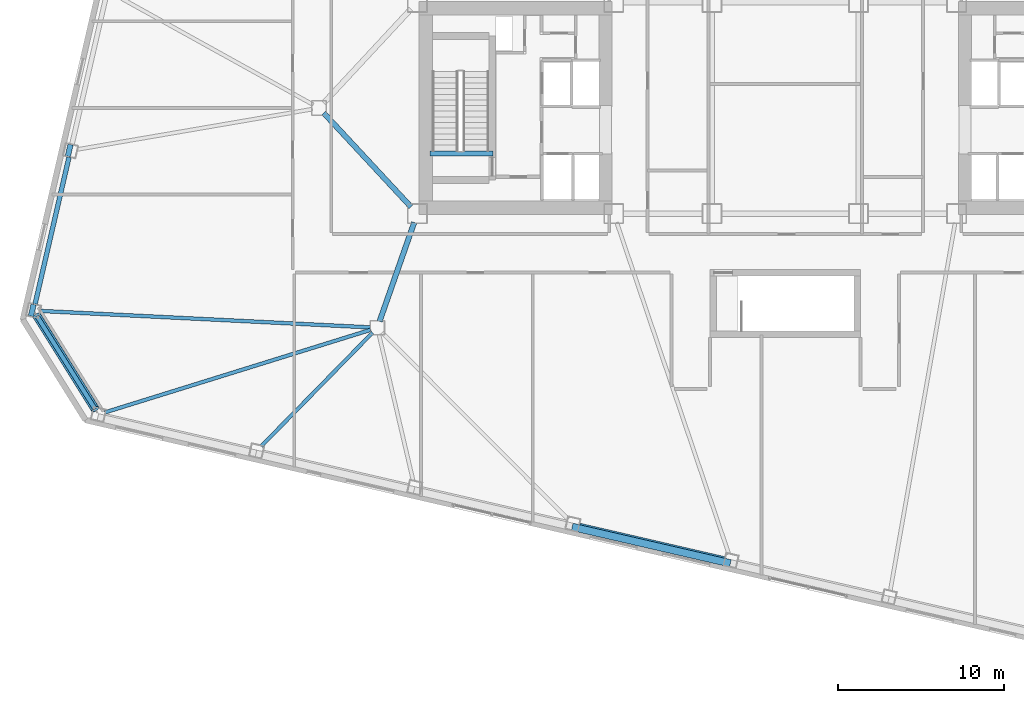
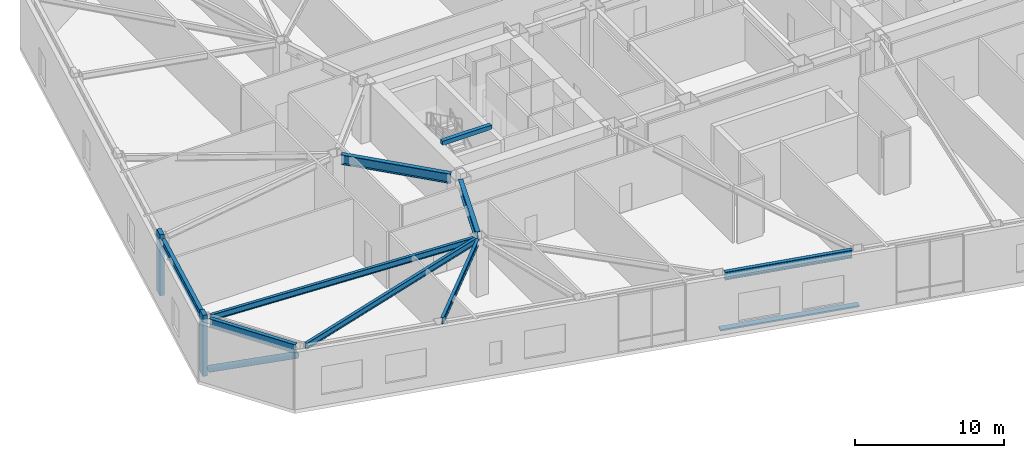
# One storey, part 3 of 19: 9 beams, 4 members.
"""IFC4 building model written with IfcOpenShell, lengths in metres."""

import ifcopenshell
import ifcopenshell.guid

model = None  # the IFC model being written
_history = None  # IfcOwnerHistory: only IFC2X3 demands one
_inside = {}  # id of a spatial element -> (the spatial element, [elements in it])
_under = {}  # id of a project, library or spatial element -> (it, [spatial elements below it])
_declared = {}  # id of a project -> (the project, [libraries it declares])
_typed = {}  # id of a type object -> (the type object, [elements of that type])
_made_of = {}  # id of a material, layer set ... -> (it, [elements and type objects made of it])


def new_model(schema):
    """Start an empty IFC model of exactly this schema.

    Asked for "IFC4X3", IfcOpenShell would pick the latest addendum, in which some entities
    have other attributes; the version numbers below select the first issue.
    IFC2X3 requires an IfcOwnerHistory on every rooted entity: one is made here for all.
    """
    global model, _history
    if schema == "IFC4X3":
        model = ifcopenshell.file(schema_version=(4, 3, 0, 0))
    else:
        model = ifcopenshell.file(schema=schema)
    _inside.clear()
    _under.clear()
    _declared.clear()
    _typed.clear()
    _made_of.clear()
    _history = None
    if model.schema == "IFC2X3":
        org = make("IfcOrganization", Name="unknown")
        user = make(
            "IfcPersonAndOrganization",
            ThePerson=make("IfcPerson", FamilyName="unknown"),
            TheOrganization=org,
        )
        app = make(
            "IfcApplication",
            ApplicationDeveloper=org,
            Version="unknown",
            ApplicationFullName="unknown",
            ApplicationIdentifier="unknown",
        )
        _history = make(
            "IfcOwnerHistory",
            OwningUser=user,
            OwningApplication=app,
            ChangeAction="ADDED",
            CreationDate=0,
        )
    return model


def make(cls, **values):
    """One entity of the class cls with the attributes given. An attribute that is None is left unset."""
    return model.create_entity(
        cls, **{name: value for name, value in values.items() if value is not None}
    )


def rooted(cls, **values):
    """An entity with a GlobalId (a new one), such as an element, a storey or a relation."""
    return make(cls, GlobalId=ifcopenshell.guid.new(), OwnerHistory=_history, **values)


def si_unit(unit_type, name, prefix=None):
    """IfcSIUnit, for example si_unit("LENGTHUNIT", "METRE", prefix="MILLI")."""
    return make("IfcSIUnit", UnitType=unit_type, Prefix=prefix, Name=name)


def assignment(units):
    """IfcUnitAssignment: the units of a project."""
    return None if units is None else make("IfcUnitAssignment", Units=units)


def point(xyz):
    """IfcCartesianPoint."""
    return None if xyz is None else make("IfcCartesianPoint", Coordinates=xyz)


def direction(xyz):
    """IfcDirection."""
    return None if xyz is None else make("IfcDirection", DirectionRatios=xyz)


def frame(location, z_axis=None, x_axis=None):
    """IfcAxis2Placement3D, a coordinate frame: its origin and axes. An axis left out is left unset."""
    return make(
        "IfcAxis2Placement3D",
        Location=point(location),
        Axis=direction(z_axis),
        RefDirection=direction(x_axis),
    )


def frame_2d(location, x_axis=None):
    """IfcAxis2Placement2D, a coordinate frame in the plane: its origin and x axis."""
    return make(
        "IfcAxis2Placement2D", Location=point(location), RefDirection=direction(x_axis)
    )


def origin():
    """The frame at (0, 0, 0) with its axes left unset."""
    return frame((0.0, 0.0, 0.0))


def origin_2d():
    """The frame at (0, 0) in the plane with its x axis left unset."""
    return frame_2d((0.0, 0.0))


def place(relative_to, where):
    """IfcLocalPlacement: puts the frame where relative to a parent placement (None: the world)."""
    return make(
        "IfcLocalPlacement", PlacementRelTo=relative_to, RelativePlacement=where
    )


def context(
    kind, dimensions, precision=None, world=None, true_north=None, identifier=None
):
    """IfcGeometricRepresentationContext, for example the 3D "Model" context."""
    return make(
        "IfcGeometricRepresentationContext",
        ContextIdentifier=identifier,
        ContextType=kind,
        CoordinateSpaceDimension=dimensions,
        Precision=precision,
        WorldCoordinateSystem=world,
        TrueNorth=true_north,
    )


def subcontext(parent, identifier, kind, view, scale=None):
    """IfcGeometricRepresentationSubContext, for example "Body" below "Model"."""
    return make(
        "IfcGeometricRepresentationSubContext",
        ContextIdentifier=identifier,
        ContextType=kind,
        ParentContext=parent,
        TargetScale=scale,
        TargetView=view,
    )


def project(units=None, contexts=None):
    """IfcProject with its units and contexts."""
    return rooted(
        "IfcProject",
        Name="project",
        RepresentationContexts=contexts,
        UnitsInContext=assignment(units),
    )


def spatial(cls, under=None, at=None, **own):
    """A site, building, storey or space (cls), placed at a placement, below another one or the project."""
    s = rooted(cls, ObjectPlacement=at, **own)
    if under is not None:
        _under.setdefault(under.id(), (under, []))[1].append(s)
    return s


def profile(cls, at=None, kind="AREA", **sizes):
    """A parametric profile (cls). Its sizes go by their IFC names, for example OverallWidth=200.0."""
    return make(cls, ProfileType=kind, Position=at, **sizes)


def rectangle(**sizes):
    """IfcRectangleProfileDef."""
    return profile("IfcRectangleProfileDef", **sizes)


def hollow_circle(**sizes):
    """IfcCircleHollowProfileDef."""
    return profile("IfcCircleHollowProfileDef", **sizes)


def i_section(**sizes):
    """IfcIShapeProfileDef."""
    return profile("IfcIShapeProfileDef", **sizes)


def extrude(swept, where, along, depth):
    """IfcExtrudedAreaSolid: the profile swept, set in the frame where, extruded along a direction by depth."""
    return make(
        "IfcExtrudedAreaSolid",
        SweptArea=swept,
        Position=where,
        ExtrudedDirection=direction(along),
        Depth=depth,
    )


def shape(context_of_items, identifier, shape_type, items):
    """IfcShapeRepresentation: the items that make up one representation, for example the "Body"."""
    return make(
        "IfcShapeRepresentation",
        ContextOfItems=context_of_items,
        RepresentationIdentifier=identifier,
        RepresentationType=shape_type,
        Items=items,
    )


def material(Name=None, Category=None):
    """IfcMaterial."""
    return make("IfcMaterial", Name=Name, Category=Category)


def material_profile(
    of_material, cross_section, Name=None, Category=None, Priority=None
):
    """IfcMaterialProfile: a cross section and its material."""
    return make(
        "IfcMaterialProfile",
        Name=Name,
        Material=of_material,
        Profile=cross_section,
        Priority=Priority,
        Category=Category,
    )


def profile_set(profiles, Name=None, composite=None):
    """IfcMaterialProfileSet."""
    return make(
        "IfcMaterialProfileSet",
        Name=Name,
        MaterialProfiles=profiles,
        CompositeProfile=composite,
    )


def made_of(thing, what):
    """Note that an element or type object is made of a material, layer set ...; save() writes the relation."""
    if what is not None:
        _made_of.setdefault(what.id(), (what, []))[1].append(thing)
    return thing


def type_object(cls, material=None, **own):
    """A type object (cls), such as IfcWallType, which elements share."""
    return made_of(rooted(cls, **own), material)


def element(
    cls,
    number,
    at=None,
    inside=None,
    cuts=None,
    type_object=None,
    material=None,
    context=None,
    identifier="Body",
    shape_type=None,
    held_by="IfcProductDefinitionShape",
    body=None,
    shapes=None,
    **own,
):
    """One element of the class cls, such as IfcWall. Its Tag is "e" and its number.

    at: its placement. inside: the storey or other place that contains it. cuts: it is an
    opening in that element (IfcRelVoidsElement). A single representation is given by context,
    identifier, shape_type and body (its items); several are given by shapes. held_by: the class
    of the entity that holds the representations. save() writes the other relations.
    """
    e = rooted(cls, Tag="e%d" % number, ObjectPlacement=at, **own)
    if body is not None:
        shapes = [shape(context, identifier, shape_type, body)]
    if shapes is not None:
        e.Representation = make(held_by, Representations=shapes)
    if inside is not None:
        _inside.setdefault(inside.id(), (inside, []))[1].append(e)
    if cuts is not None:
        rooted(
            "IfcRelVoidsElement", RelatingBuildingElement=cuts, RelatedOpeningElement=e
        )
    if type_object is not None:
        _typed.setdefault(type_object.id(), (type_object, []))[1].append(e)
    return made_of(e, material)


def aggregate(whole, parts):
    """IfcRelAggregates: a whole, such as a stair, and the parts it consists of."""
    return rooted("IfcRelAggregates", RelatingObject=whole, RelatedObjects=parts)


def save(model, path):
    """Write the relations noted so far, then the file.

    IfcRelAggregates (storeys below a building ...), IfcRelContainedInSpatialStructure (elements
    in a storey), IfcRelDefinesByType, IfcRelAssociatesMaterial and IfcRelDeclares: one each for
    every whole, place, type object, material and project.
    """
    for whole, parts in _under.values():
        aggregate(whole, parts)
    for where, things in _inside.values():
        rooted(
            "IfcRelContainedInSpatialStructure",
            RelatedElements=things,
            RelatingStructure=where,
        )
    for kind, things in _typed.values():
        rooted("IfcRelDefinesByType", RelatedObjects=things, RelatingType=kind)
    for what, things in _made_of.values():
        rooted("IfcRelAssociatesMaterial", RelatedObjects=things, RelatingMaterial=what)
    for by, libraries in _declared.values():
        rooted("IfcRelDeclares", RelatingContext=by, RelatedDefinitions=libraries)
    model.write(path)


model = new_model("IFC4")

# Units and contexts
model_context = context("Model", 3, precision=1e-05, world=origin(), true_north=direction((0.0, 1.0)))
body_context = subcontext(model_context, "Body", "Model", "MODEL_VIEW")
ifc_project = project(units=[si_unit("LENGTHUNIT", "METRE"), si_unit("AREAUNIT", "SQUARE_METRE"), si_unit("VOLUMEUNIT", "CUBIC_METRE"), si_unit("PLANEANGLEUNIT", "RADIAN"), si_unit("MASSUNIT", "GRAM", prefix="KILO")], contexts=[model_context])

# Site, building, storey
site_placement = place(None, origin())
site = spatial("IfcSite", under=ifc_project, at=site_placement, CompositionType="ELEMENT")
building_placement = place(site_placement, origin())
building = spatial("IfcBuilding", under=site, at=building_placement, Name="Tavrogorsk Clinical Tower", CompositionType="ELEMENT")
storey_placement = place(building_placement, frame((0.0, 0.0, 28.39990234375)))
storey = spatial("IfcBuildingStorey", under=building, at=storey_placement, Name="L05", CompositionType="ELEMENT", Elevation=28.39990234375)

# Members
ifc_material_1 = material(Name="Anodised aluminium alloy AW-6063", Category="aluminium")
ifc_material_profile_1 = material_profile(ifc_material_1, rectangle(XDim=0.449951171875, YDim=0.1201171875, at=origin_2d()), Name="ALU-SUNSHADE-450x120")
ifc_profile_set_1 = profile_set([ifc_material_profile_1], Name="Anodised aluminium alloy AW-6063")
member_type_1 = type_object("IfcMemberType", Name="ChicagoSunshade_450x120", PredefinedType="USERDEFINED", material=ifc_profile_set_1)
member_1_placement = place(storey_placement, frame((-12.795654296875, -25.16015625, 0.18017578125), z_axis=(0.974366709214, -0.224965588425, 0.0), x_axis=(0.224965588425, 0.974366709214, 0.0)))
element("IfcMember", 1, at=member_1_placement, inside=storey, type_object=member_type_1, Name="L05 South Aluminium Sunshade S4", ObjectType="SUNSHADE", PredefinedType="USERDEFINED", context=body_context, shape_type="SweptSolid", body=[
    extrude(rectangle(XDim=0.449951171875, YDim=0.1201171875, at=origin_2d()), origin(), (0.0, 0.0, 1.0), 9.748779296875),
])
ifc_material_2 = material(Name="Structural steel S440", Category="steel")
ifc_material_profile_2 = material_profile(ifc_material_2, hollow_circle(Radius=0.25390625, WallThickness=0.02001953125, at=origin_2d()), Name="CHS-508x20")
ifc_profile_set_2 = profile_set([ifc_material_profile_2], Name="Structural steel S440")
member_type_2 = type_object("IfcMemberType", Name="ExoBrace_CHS508", PredefinedType="BRACE", material=ifc_profile_set_2)
member_2_placement = place(storey_placement, frame((-44.954833984375, -12.47900390625, 0.482666015625), z_axis=(0.473887232376, -0.758390959589, 0.447519880457), x_axis=(0.848052133956, 0.529912802348, 0.0)))
element("IfcMember", 2, at=member_2_placement, inside=storey, type_object=member_type_2, Name="L05 Corner Exoskeleton Brace W5-S1", PredefinedType="BRACE", context=body_context, shape_type="SweptSolid", body=[
    extrude(hollow_circle(Radius=0.25390625, WallThickness=0.02001953125, at=origin_2d()), origin(), (0.0, 0.0, 1.0), 7.407470703125),
])

# Beams
ifc_material_3 = material(Name="Structural steel S355", Category="steel")
ifc_material_profile_3 = material_profile(ifc_material_3, i_section(OverallWidth=0.219970703125, OverallDepth=0.5, WebThickness=0.012939453125, FlangeThickness=0.02001953125, at=origin_2d()), Name="B-500x220x13x20")
ifc_profile_set_3 = profile_set([ifc_material_profile_3], Name="Structural steel S355")
beam_type_1 = type_object("IfcBeamType", Name="FloorBeam_B500", PredefinedType="BEAM", material=ifc_profile_set_3)
beam_1_placement = place(storey_placement, frame((-24.8916015625, -13.32177734375, 4.43017578125), z_axis=(-0.954946638684, -0.296777555193, 0.0), x_axis=(0.296777555193, -0.954946638684, 0.0)))
element("IfcBeam", 3, at=beam_1_placement, inside=storey, type_object=beam_type_1, Name="L05 Radial Floor Beam S1", PredefinedType="BEAM", context=body_context, shape_type="SweptSolid", body=[
    extrude(i_section(OverallWidth=0.219970703125, OverallDepth=0.5, WebThickness=0.012939453125, FlangeThickness=0.02001953125, at=origin_2d()), origin(), (0.0, 0.0, 1.0), 16.723388671875),
])
beam_2_placement = place(storey_placement, frame((-24.787109375, -13.492919921875, 4.43017578125), z_axis=(-0.699997226081, -0.714145561828, 0.0), x_axis=(0.714145561828, -0.699997226081, 0.0)))
element("IfcBeam", 4, at=beam_2_placement, inside=storey, type_object=beam_type_1, Name="L05 Radial Floor Beam S2", PredefinedType="BEAM", context=body_context, shape_type="SweptSolid", body=[
    extrude(i_section(OverallWidth=0.219970703125, OverallDepth=0.5, WebThickness=0.012939453125, FlangeThickness=0.02001953125, at=origin_2d()), origin(), (0.0, 0.0, 1.0), 9.54248046875),
])
beam_3_placement = place(storey_placement, frame((-24.909423828125, -13.179443359375, 4.43017578125), z_axis=(-0.998757515428, 0.049833978136, 0.0), x_axis=(-0.049833978136, -0.998757515428, 0.0)))
element("IfcBeam", 5, at=beam_3_placement, inside=storey, type_object=beam_type_1, Name="L05 Radial Floor Beam W5", PredefinedType="BEAM", context=body_context, shape_type="SweptSolid", body=[
    extrude(i_section(OverallWidth=0.219970703125, OverallDepth=0.5, WebThickness=0.012939453125, FlangeThickness=0.02001953125, at=origin_2d()), origin(), (0.0, 0.0, 1.0), 19.85595703125),
])

# Members
ifc_material_4 = material(Name="Precast concrete B45 with limestone cladding", Category="masonry")
ifc_material_profile_4 = material_profile(ifc_material_4, rectangle(XDim=0.320068359375, YDim=0.719970703125, at=origin_2d()), Name="LIMESTONE-FIN-320x720")
ifc_profile_set_4 = profile_set([ifc_material_profile_4], Name="Precast concrete B45 with limestone cladding")
member_type_3 = type_object("IfcMemberType", Name="LimestonePleatFin_320x720", PredefinedType="USERDEFINED", material=ifc_profile_set_4)
for number, where, z_axis, x_axis, name in (
    (6, (-43.008056640625, -2.544189453125, 0.0), (0.0, 0.0, 1.0), (0.974370064785, -0.224951054344, 0.0), "L05 W Pleated Stone Fin 3"),
    (7, (-45.226318359375, -12.151611328125, 0.0), (0.0, 0.0, 1.0), (0.974370064785, -0.224951054344, 0.0), "L05 W Pleated Stone Fin 4"),
):
    element("IfcMember", number, at=place(storey_placement, frame(where, z_axis=z_axis, x_axis=x_axis)), inside=storey, type_object=member_type_3, Name=name, ObjectType="FIN", PredefinedType="USERDEFINED", context=body_context, shape_type="SweptSolid", body=[
        extrude(rectangle(XDim=0.320068359375, YDim=0.719970703125, at=origin_2d()), origin(), (0.0, 0.0, 1.0), 5.0),
    ])

# Beams
ifc_material_5 = material(Name="Structural steel S390", Category="steel")
ifc_material_profile_5 = material_profile(ifc_material_5, i_section(OverallWidth=0.320068359375, OverallDepth=0.800048828125, WebThickness=0.02001953125, FlangeThickness=0.033935546875, at=origin_2d()), Name="B-800x320x20x34")
ifc_profile_set_5 = profile_set([ifc_material_profile_5], Name="Structural steel S390")
beam_type_2 = type_object("IfcBeamType", Name="PrimaryGirder_B800", PredefinedType="USERDEFINED", material=ifc_profile_set_5)
beam_4_placement = place(storey_placement, frame((-24.364501953125, -12.81298828125, 4.280029296875), z_axis=(0.330668611543, 0.943746930771, 0.0), x_axis=(-0.943746930771, 0.330668611543, 0.0)))
element("IfcBeam", 8, at=beam_4_placement, inside=storey, type_object=beam_type_2, Name="L05 Spine Link Girder OPG-1", ObjectType="GIRDER", PredefinedType="USERDEFINED", context=body_context, shape_type="SweptSolid", body=[
    extrude(i_section(OverallWidth=0.320068359375, OverallDepth=0.800048828125, WebThickness=0.02001953125, FlangeThickness=0.033935546875, at=origin_2d()), origin(), (0.0, 0.0, 1.0), 6.288330078125),
])
beam_5_placement = place(storey_placement, frame((-27.720947265625, -0.30029296875, 4.280029296875), z_axis=(0.680671250221, -0.732589004233, 0.0), x_axis=(0.732589004233, 0.680671250221, 0.0)))
element("IfcBeam", 9, at=beam_5_placement, inside=storey, type_object=beam_type_2, Name="L05 Spine Link Girder OPG-5", ObjectType="GIRDER", PredefinedType="USERDEFINED", context=body_context, shape_type="SweptSolid", body=[
    extrude(i_section(OverallWidth=0.320068359375, OverallDepth=0.800048828125, WebThickness=0.02001953125, FlangeThickness=0.033935546875, at=origin_2d()), origin(), (0.0, 0.0, 1.0), 7.697998046875),
])
ifc_material_6 = material(Name="Structural steel S390", Category="steel")
ifc_material_profile_6 = material_profile(ifc_material_6, i_section(OverallWidth=0.280029296875, OverallDepth=0.64990234375, WebThickness=0.01611328125, FlangeThickness=0.02490234375, at=origin_2d()), Name="B-650x280x16x25")
ifc_profile_set_6 = profile_set([ifc_material_profile_6], Name="Structural steel S390")
beam_type_3 = type_object("IfcBeamType", Name="SpandrelBeam_B650", PredefinedType="SPANDREL", material=ifc_profile_set_6)
beam_6_placement = place(storey_placement, frame((-12.357666015625, -25.07666015625, 4.35498046875), z_axis=(0.974372766602, -0.224939351168, 0.0), x_axis=(0.224939351168, 0.974372766602, 0.0)))
element("IfcBeam", 10, at=beam_6_placement, inside=storey, type_object=beam_type_3, Name="L05 Perimeter Spandrel S4-S5", PredefinedType="SPANDREL", context=body_context, shape_type="SweptSolid", body=[
    extrude(i_section(OverallWidth=0.280029296875, OverallDepth=0.64990234375, WebThickness=0.01611328125, FlangeThickness=0.02490234375, at=origin_2d()), origin(), (0.0, 0.0, 1.0), 8.9326171875),
])
beam_7_placement = place(storey_placement, frame((-43.02197265625, -2.959716796875, 4.35498046875), z_axis=(-0.224971881043, -0.974365256328, 0.0), x_axis=(0.974365256328, -0.224971881043, 0.0)))
element("IfcBeam", 11, at=beam_7_placement, inside=storey, type_object=beam_type_3, Name="L05 Perimeter Spandrel W4-W5", PredefinedType="SPANDREL", context=body_context, shape_type="SweptSolid", body=[
    extrude(i_section(OverallWidth=0.280029296875, OverallDepth=0.64990234375, WebThickness=0.01611328125, FlangeThickness=0.02490234375, at=origin_2d()), origin(), (0.0, 0.0, 1.0), 9.044189453125),
])
beam_8_placement = place(storey_placement, frame((-44.93212890625, -12.515380859375, 4.35498046875), z_axis=(0.529908311255, -0.848054940238, 0.0), x_axis=(0.848054940238, 0.529908311255, 0.0)))
element("IfcBeam", 12, at=beam_8_placement, inside=storey, type_object=beam_type_3, Name="L05 Perimeter Spandrel W5-S1", PredefinedType="SPANDREL", context=body_context, shape_type="SweptSolid", body=[
    extrude(i_section(OverallWidth=0.280029296875, OverallDepth=0.64990234375, WebThickness=0.01611328125, FlangeThickness=0.02490234375, at=origin_2d()), origin(), (0.0, 0.0, 1.0), 6.5380859375),
])
ifc_material_7 = material(Name="Concrete B60", Category="concrete")
ifc_material_profile_7 = material_profile(ifc_material_7, rectangle(XDim=0.300048828125, YDim=0.35009765625, at=origin_2d()), Name="RC-SHB-300x350")
ifc_profile_set_7 = profile_set([ifc_material_profile_7], Name="Concrete B60")
beam_type_4 = type_object("IfcBeamType", Name="StairHeaderBeam_RC300x350", PredefinedType="BEAM", material=ifc_profile_set_7)
beam_9_placement = place(storey_placement, frame((-21.35009765625, -2.719970703125, 4.8251953125), z_axis=(1.0, 0.0, 0.0), x_axis=(0.0, 1.0, 0.0)))
element("IfcBeam", 13, at=beam_9_placement, inside=storey, type_object=beam_type_4, Name="L06 ST-W Landing Header Beam", PredefinedType="BEAM", context=body_context, shape_type="SweptSolid", body=[
    extrude(rectangle(XDim=0.300048828125, YDim=0.35009765625, at=origin_2d()), origin(), (0.0, 0.0, 1.0), 3.800048828125),
])

save(model, "model.ifc")
